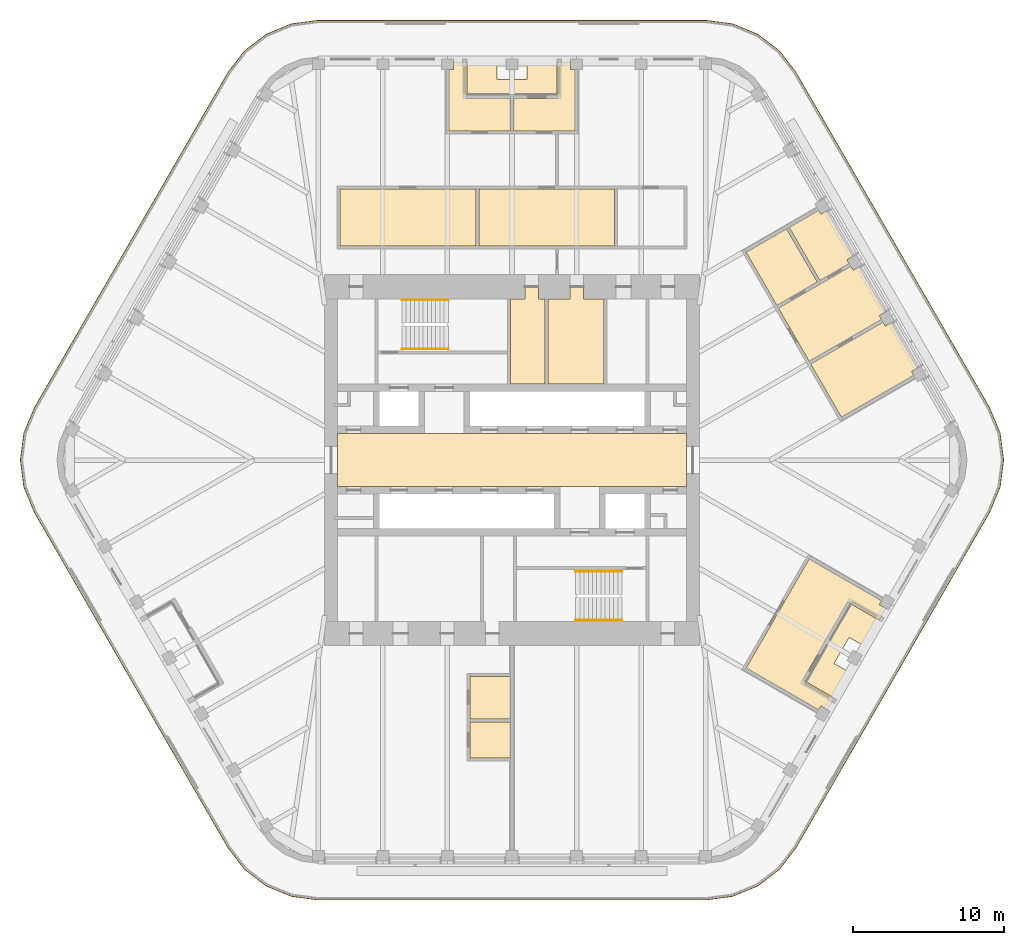
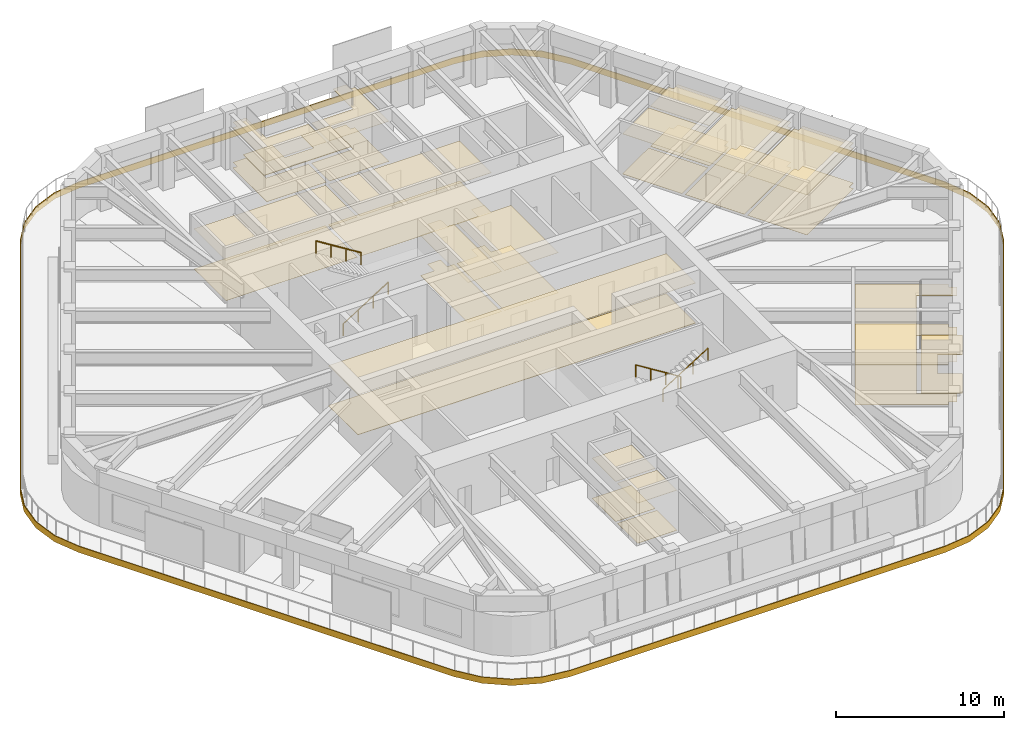
# One storey, part 18 of 19: 11 coverings, 4 railings.
"""IFC4 building model written with IfcOpenShell, lengths in metres."""

from ifc_helpers import new_model, si_unit, direction, frame, origin, origin_2d, place, context, subcontext, project, spatial, polyline, circle, outline, extrude, material, layer, layer_set, type_object, element, save


model = new_model("IFC4")

# Units and contexts
model_context = context("Model", 3, precision=1e-05, world=origin(), true_north=direction((0.0, 1.0)))
body_context = subcontext(model_context, "Body", "Model", "MODEL_VIEW")
ifc_project = project(units=[si_unit("LENGTHUNIT", "METRE"), si_unit("AREAUNIT", "SQUARE_METRE"), si_unit("VOLUMEUNIT", "CUBIC_METRE"), si_unit("PLANEANGLEUNIT", "RADIAN"), si_unit("MASSUNIT", "GRAM", prefix="KILO")], contexts=[model_context])

# Site, building, storey
site_placement = place(None, origin())
site = spatial("IfcSite", under=ifc_project, at=site_placement, CompositionType="ELEMENT")
building_placement = place(site_placement, origin())
building = spatial("IfcBuilding", under=site, at=building_placement, Name="Tarfa Lantern Tower", CompositionType="ELEMENT")
storey_placement = place(building_placement, frame((0.0, 0.0, 374.5)))
storey = spatial("IfcBuildingStorey", under=building, at=storey_placement, Name="L85", CompositionType="ELEMENT", Elevation=374.5)

# Coverings
ifc_material_1 = material(Name="Mineral fibre acoustic tile on suspension grid", Category="finish")
ifc_layer_1 = layer(ifc_material_1, 0.02001953125)
ifc_layer_set_1 = layer_set([ifc_layer_1], Name="CL1 ACOUSTIC TILE CEILING 20")
covering_type_1 = type_object("IfcCoveringType", Name="CL1 ACOUSTIC TILE CEILING 20", PredefinedType="CEILING", material=ifc_layer_set_1)
covering_1_placement = place(storey_placement, frame((0.0, 0.0, 2.89990234375)))
element("IfcCovering", 1, at=covering_1_placement, inside=storey, type_object=covering_type_1, Name="Ceiling L85 CL1", PredefinedType="CEILING", context=body_context, shape_type="SweptSolid", body=[
    extrude(outline(polyline([(-11.39990234375, 18.0), (-2.39990234375, 18.0), (-2.39990234375, 14.199951171875), (-11.39990234375, 14.199951171875), (-11.39990234375, 18.0)])), origin(), (0.0, 0.0, 1.0), 0.02001953125),
    extrude(outline(polyline([(4.18212890625, 21.85009765625), (0.10009765625, 21.85009765625), (0.10009765625, 24.0), (2.98193359375, 24.0), (2.98193359375, 26.39990234375), (3.882080078125, 26.39990234375), (3.882080078125, 25.89990234375), (4.18212890625, 25.89990234375), (4.18212890625, 21.85009765625)])), origin(), (0.0, 0.0, 1.0), 0.02001953125),
    extrude(outline(polyline([(-2.98193359375, 24.0), (-0.10009765625, 24.0), (-0.10009765625, 21.85009765625), (-4.18212890625, 21.85009765625), (-4.18212890625, 25.89990234375), (-3.882080078125, 25.89990234375), (-3.882080078125, 26.39990234375), (-2.98193359375, 26.39990234375), (-2.98193359375, 24.0)])), origin(), (0.0, 0.0, 1.0), 0.02001953125),
    extrude(outline(polyline([(17.673583984375, 10.08837890625), (22.47998046875, 12.86328125), (22.630126953125, 12.603515625), (23.06298828125, 12.853515625), (24.80419921875, 9.838134765625), (24.37109375, 9.588134765625), (24.52099609375, 9.328369140625), (19.714599609375, 6.55322265625), (17.673583984375, 10.08837890625)])), origin(), (0.0, 0.0, 1.0), 0.02001953125),
    extrude(outline(polyline([(18.390380859375, 15.44677734375), (20.339111328125, 16.57177734375), (20.489013671875, 16.31201171875), (20.922119140625, 16.56201171875), (22.6630859375, 13.54638671875), (22.22998046875, 13.29638671875), (22.380126953125, 13.03662109375), (20.431396484375, 11.91162109375), (18.390380859375, 15.44677734375)])), origin(), (0.0, 0.0, 1.0), 0.02001953125),
    extrude(outline(polyline([(19.714599609375, -6.55322265625), (24.52099609375, -9.328369140625), (24.37109375, -9.588134765625), (24.80419921875, -9.838134765625), (24.35400390625, -10.617431640625), (22.275634765625, -9.41748046875), (19.293701171875, -14.58251953125), (21.3720703125, -15.782470703125), (20.922119140625, -16.56201171875), (20.489013671875, -16.31201171875), (20.339111328125, -16.57177734375), (15.53271484375, -13.796630859375), (19.714599609375, -6.55322265625)])), origin(), (0.0, 0.0, 1.0), 0.02001953125),
    extrude(outline(polyline([(-2.800048828125, -17.159912109375), (-2.800048828125, -14.360107421875), (-0.10009765625, -14.360107421875), (-0.10009765625, -17.159912109375), (-2.800048828125, -17.159912109375)])), origin(), (0.0, 0.0, 1.0), 0.02001953125),
    extrude(outline(polyline([(-2.800048828125, -19.760009765625), (-2.800048828125, -17.360107421875), (-0.10009765625, -17.360107421875), (-0.10009765625, -19.760009765625), (-2.800048828125, -19.760009765625)])), origin(), (0.0, 0.0, 1.0), 0.02001953125),
    extrude(outline(polyline([(-2.199951171875, 18.0), (6.800048828125, 18.0), (6.800048828125, 14.199951171875), (-2.199951171875, 14.199951171875), (-2.199951171875, 18.0)])), origin(), (0.0, 0.0, 1.0), 0.02001953125),
    extrude(outline(polyline([(19.814697265625, 6.380126953125), (24.62109375, 9.155029296875), (24.77099609375, 8.895263671875), (25.2041015625, 9.145263671875), (26.945068359375, 6.129638671875), (26.511962890625, 5.879638671875), (26.662109375, 5.619873046875), (21.855712890625, 2.844970703125), (19.814697265625, 6.380126953125)])), origin(), (0.0, 0.0, 1.0), 0.02001953125),
    extrude(outline(polyline([(15.53271484375, 13.796630859375), (18.21728515625, 15.3466796875), (20.25830078125, 11.8115234375), (17.57373046875, 10.26171875), (15.53271484375, 13.796630859375)])), origin(), (0.0, 0.0, 1.0), 0.02001953125),
])
ifc_material_2 = material(Name="Moisture-resistant plasterboard", Category="finish")
ifc_layer_2 = layer(ifc_material_2, 0.014892578125)
ifc_layer_set_2 = layer_set([ifc_layer_2], Name="CL2 MOISTURE-RESISTANT PLASTERBOARD CEILING 15")
covering_type_2 = type_object("IfcCoveringType", Name="CL2 MOISTURE-RESISTANT PLASTERBOARD CEILING 15", PredefinedType="CEILING", material=ifc_layer_set_2)
covering_2_placement = place(storey_placement, frame((0.0, 0.0, 2.89990234375)))
element("IfcCovering", 2, at=covering_2_placement, inside=storey, type_object=covering_type_2, Name="Ceiling L85-05", PredefinedType="CEILING", context=body_context, shape_type="SweptSolid", body=[
    extrude(outline(polyline([(0.85009765625, 10.699951171875), (-0.10009765625, 10.699951171875), (-0.10009765625, 5.050048828125), (2.199951171875, 5.050048828125), (2.199951171875, 10.699951171875), (1.75, 10.699951171875), (1.75, 11.5), (0.85009765625, 11.5), (0.85009765625, 10.699951171875)])), origin(), (0.0, 0.0, 1.0), 0.01513671875),
])
covering_3_placement = place(storey_placement, frame((0.0, 0.0, 2.89990234375)))
element("IfcCovering", 3, at=covering_3_placement, inside=storey, type_object=covering_type_2, Name="Ceiling L85-06", PredefinedType="CEILING", context=body_context, shape_type="SweptSolid", body=[
    extrude(outline(polyline([(2.39990234375, 5.050048828125), (6.10009765625, 5.050048828125), (6.10009765625, 10.699951171875), (4.75, 10.699951171875), (4.75, 11.5), (3.85009765625, 11.5), (3.85009765625, 10.699951171875), (2.39990234375, 10.699951171875), (2.39990234375, 5.050048828125)])), origin(), (0.0, 0.0, 1.0), 0.01513671875),
])
ifc_material_3 = material(Name="Powder-coated aluminium panel", Category="aluminium")
ifc_layer_3 = layer(ifc_material_3, 0.030029296875)
ifc_layer_set_3 = layer_set([ifc_layer_3], Name="CL3 METAL PANEL CEILING 30")
covering_type_3 = type_object("IfcCoveringType", Name="CL3 METAL PANEL CEILING 30", PredefinedType="CEILING", material=ifc_layer_set_3)
covering_4_placement = place(storey_placement, frame((0.0, 0.0, 2.89990234375)))
element("IfcCovering", 4, at=covering_4_placement, inside=storey, type_object=covering_type_3, Name="Ceiling L85-01", PredefinedType="CEILING", context=body_context, shape_type="SweptSolid", body=[
    extrude(outline(polyline([(-11.574951171875, -1.75), (11.574951171875, -1.75), (11.574951171875, 1.75), (-11.574951171875, 1.75), (-11.574951171875, -1.75)])), origin(), (0.0, 0.0, 1.0), 0.030029296875),
])
ifc_material_4 = material(Name="Nylon carpet tile", Category="finish")
ifc_layer_4 = layer(ifc_material_4, 0.010009765625)
ifc_layer_set_4 = layer_set([ifc_layer_4], Name="FL1 CARPET TILE 10")
covering_type_4 = type_object("IfcCoveringType", Name="FL1 CARPET TILE 10", PredefinedType="FLOORING", material=ifc_layer_set_4)
covering_5_placement = place(storey_placement, origin())
element("IfcCovering", 5, at=covering_5_placement, inside=storey, type_object=covering_type_4, Name="Floor finish L85 FL1", PredefinedType="FLOORING", context=body_context, shape_type="SweptSolid", body=[
    extrude(outline(polyline([(-11.39990234375, 18.0), (-2.39990234375, 18.0), (-2.39990234375, 14.199951171875), (-11.39990234375, 14.199951171875), (-11.39990234375, 18.0)])), origin(), (0.0, 0.0, 1.0), 0.010009765625),
    extrude(outline(polyline([(4.18212890625, 21.85009765625), (0.10009765625, 21.85009765625), (0.10009765625, 24.0), (2.98193359375, 24.0), (2.98193359375, 26.39990234375), (3.882080078125, 26.39990234375), (3.882080078125, 25.89990234375), (4.18212890625, 25.89990234375), (4.18212890625, 21.85009765625)])), origin(), (0.0, 0.0, 1.0), 0.010009765625),
    extrude(outline(polyline([(-2.98193359375, 24.0), (-0.10009765625, 24.0), (-0.10009765625, 21.85009765625), (-4.18212890625, 21.85009765625), (-4.18212890625, 25.89990234375), (-3.882080078125, 25.89990234375), (-3.882080078125, 26.39990234375), (-2.98193359375, 26.39990234375), (-2.98193359375, 24.0)])), origin(), (0.0, 0.0, 1.0), 0.010009765625),
    extrude(outline(polyline([(17.673583984375, 10.08837890625), (22.47998046875, 12.86328125), (22.630126953125, 12.603515625), (23.06298828125, 12.853515625), (24.80419921875, 9.838134765625), (24.37109375, 9.588134765625), (24.52099609375, 9.328369140625), (19.714599609375, 6.55322265625), (17.673583984375, 10.08837890625)])), origin(), (0.0, 0.0, 1.0), 0.010009765625),
    extrude(outline(polyline([(18.390380859375, 15.44677734375), (20.339111328125, 16.57177734375), (20.489013671875, 16.31201171875), (20.922119140625, 16.56201171875), (22.6630859375, 13.54638671875), (22.22998046875, 13.29638671875), (22.380126953125, 13.03662109375), (20.431396484375, 11.91162109375), (18.390380859375, 15.44677734375)])), origin(), (0.0, 0.0, 1.0), 0.010009765625),
    extrude(outline(polyline([(19.714599609375, -6.55322265625), (24.52099609375, -9.328369140625), (24.37109375, -9.588134765625), (24.80419921875, -9.838134765625), (24.35400390625, -10.617431640625), (22.275634765625, -9.41748046875), (19.293701171875, -14.58251953125), (21.3720703125, -15.782470703125), (20.922119140625, -16.56201171875), (20.489013671875, -16.31201171875), (20.339111328125, -16.57177734375), (15.53271484375, -13.796630859375), (19.714599609375, -6.55322265625)])), origin(), (0.0, 0.0, 1.0), 0.010009765625),
    extrude(outline(polyline([(-2.800048828125, -17.159912109375), (-2.800048828125, -14.360107421875), (-0.10009765625, -14.360107421875), (-0.10009765625, -17.159912109375), (-2.800048828125, -17.159912109375)])), origin(), (0.0, 0.0, 1.0), 0.010009765625),
    extrude(outline(polyline([(-2.800048828125, -19.760009765625), (-2.800048828125, -17.360107421875), (-0.10009765625, -17.360107421875), (-0.10009765625, -19.760009765625), (-2.800048828125, -19.760009765625)])), origin(), (0.0, 0.0, 1.0), 0.010009765625),
    extrude(outline(polyline([(-2.199951171875, 18.0), (6.800048828125, 18.0), (6.800048828125, 14.199951171875), (-2.199951171875, 14.199951171875), (-2.199951171875, 18.0)])), origin(), (0.0, 0.0, 1.0), 0.010009765625),
    extrude(outline(polyline([(19.814697265625, 6.380126953125), (24.62109375, 9.155029296875), (24.77099609375, 8.895263671875), (25.2041015625, 9.145263671875), (26.945068359375, 6.129638671875), (26.511962890625, 5.879638671875), (26.662109375, 5.619873046875), (21.855712890625, 2.844970703125), (19.814697265625, 6.380126953125)])), origin(), (0.0, 0.0, 1.0), 0.010009765625),
    extrude(outline(polyline([(15.53271484375, 13.796630859375), (18.21728515625, 15.3466796875), (20.25830078125, 11.8115234375), (17.57373046875, 10.26171875), (15.53271484375, 13.796630859375)])), origin(), (0.0, 0.0, 1.0), 0.010009765625),
])
ifc_material_5 = material(Name="Honed limestone flooring", Category="masonry")
ifc_layer_5 = layer(ifc_material_5, 0.030029296875)
ifc_layer_set_5 = layer_set([ifc_layer_5], Name="FL2 STONE FLOORING 30")
covering_type_5 = type_object("IfcCoveringType", Name="FL2 STONE FLOORING 30", PredefinedType="FLOORING", material=ifc_layer_set_5)
covering_6_placement = place(storey_placement, origin())
element("IfcCovering", 6, at=covering_6_placement, inside=storey, type_object=covering_type_5, Name="Floor finish L85-01", PredefinedType="FLOORING", context=body_context, shape_type="SweptSolid", body=[
    extrude(outline(polyline([(-11.574951171875, -1.75), (11.574951171875, -1.75), (11.574951171875, 1.75), (-11.574951171875, 1.75), (-11.574951171875, -1.75)])), origin(), (0.0, 0.0, 1.0), 0.030029296875),
])
ifc_material_6 = material(Name="Porcelain floor tile", Category="finish")
ifc_layer_6 = layer(ifc_material_6, 0.011962890625)
ifc_layer_set_6 = layer_set([ifc_layer_6], Name="FL3 CERAMIC TILE 12")
covering_type_6 = type_object("IfcCoveringType", Name="FL3 CERAMIC TILE 12", PredefinedType="FLOORING", material=ifc_layer_set_6)
covering_7_placement = place(storey_placement, origin())
element("IfcCovering", 7, at=covering_7_placement, inside=storey, type_object=covering_type_6, Name="Floor finish L85-05", PredefinedType="FLOORING", context=body_context, shape_type="SweptSolid", body=[
    extrude(outline(polyline([(0.85009765625, 10.699951171875), (-0.10009765625, 10.699951171875), (-0.10009765625, 5.050048828125), (2.199951171875, 5.050048828125), (2.199951171875, 10.699951171875), (1.75, 10.699951171875), (1.75, 11.5), (0.85009765625, 11.5), (0.85009765625, 10.699951171875)])), origin(), (0.0, 0.0, 1.0), 0.011962890625),
])
covering_8_placement = place(storey_placement, origin())
element("IfcCovering", 8, at=covering_8_placement, inside=storey, type_object=covering_type_6, Name="Floor finish L85-06", PredefinedType="FLOORING", context=body_context, shape_type="SweptSolid", body=[
    extrude(outline(polyline([(2.39990234375, 5.050048828125), (6.10009765625, 5.050048828125), (6.10009765625, 10.699951171875), (4.75, 10.699951171875), (4.75, 11.5), (3.85009765625, 11.5), (3.85009765625, 10.699951171875), (2.39990234375, 10.699951171875), (2.39990234375, 5.050048828125)])), origin(), (0.0, 0.0, 1.0), 0.011962890625),
])

# Railings
ifc_material_7 = material(Name="Stainless steel", Category="steel")
railing_type = type_object("IfcRailingType", Name="HR1 HANDRAIL 900", PredefinedType="HANDRAIL", material=ifc_material_7)
railing_1_placement = place(storey_placement, frame((-7.300048828125, 7.3798828125, 0.175048828125)))
element("IfcRailing", 9, at=railing_1_placement, inside=storey, type_object=railing_type, Name="Handrail 1", PredefinedType="HANDRAIL", context=body_context, shape_type="SweptSolid", body=[
    extrude(circle(Radius=0.02392578125, at=origin_2d()), frame((0.0, 0.0, 0.8759765625), z_axis=(0.847998304005, 0.0, 0.529998940003), x_axis=(0.0, 1.0, 0.0)), (0.0, 0.0, 1.0), 3.632080078125),
    extrude(circle(Radius=0.02099609375, at=origin_2d()), frame((0.0, 0.0, 0.0), z_axis=(0.0, 0.0, 1.0), x_axis=(0.0, 1.0, 0.0)), (0.0, 0.0, 1.0), 0.851806640625),
    extrude(circle(Radius=0.02099609375, at=origin_2d()), frame((1.026611328125, 0.0, 0.6416015625), z_axis=(0.0, 0.0, 1.0), x_axis=(0.0, 1.0, 0.0)), (0.0, 0.0, 1.0), 0.851806640625),
    extrude(circle(Radius=0.02099609375, at=origin_2d()), frame((2.053466796875, 0.0, 1.283447265625), z_axis=(0.0, 0.0, 1.0), x_axis=(0.0, 1.0, 0.0)), (0.0, 0.0, 1.0), 0.851806640625),
    extrude(circle(Radius=0.02099609375, at=origin_2d()), frame((3.080078125, 0.0, 1.925048828125), z_axis=(0.0, 0.0, 1.0), x_axis=(0.0, 1.0, 0.0)), (0.0, 0.0, 1.0), 0.851806640625),
])
for number, where, name in (
    (10, (-4.219970703125, 10.6201171875, 2.27490234375), "Handrail 2"),
    (11, (7.300048828125, -7.3798828125, 0.175048828125), "Handrail 1"),
):
    element("IfcRailing", number, at=place(storey_placement, frame(where)), inside=storey, type_object=railing_type, Name=name, PredefinedType="HANDRAIL", context=body_context, shape_type="SweptSolid", body=[
        extrude(circle(Radius=0.02392578125, at=origin_2d()), frame((0.0, 0.0, 0.8759765625), z_axis=(-0.847998304005, 0.0, 0.529998940003), x_axis=(0.0, -1.0, 0.0)), (0.0, 0.0, 1.0), 3.632080078125),
        extrude(circle(Radius=0.02099609375, at=origin_2d()), frame((0.0, 0.0, 0.0), z_axis=(0.0, 0.0, 1.0), x_axis=(0.0, -1.0, 0.0)), (0.0, 0.0, 1.0), 0.851806640625),
        extrude(circle(Radius=0.02099609375, at=origin_2d()), frame((-1.026611328125, 0.0, 0.6416015625), z_axis=(0.0, 0.0, 1.0), x_axis=(0.0, -1.0, 0.0)), (0.0, 0.0, 1.0), 0.851806640625),
        extrude(circle(Radius=0.02099609375, at=origin_2d()), frame((-2.053466796875, 0.0, 1.283447265625), z_axis=(0.0, 0.0, 1.0), x_axis=(0.0, -1.0, 0.0)), (0.0, 0.0, 1.0), 0.851806640625),
        extrude(circle(Radius=0.02099609375, at=origin_2d()), frame((-3.080078125, 0.0, 1.925048828125), z_axis=(0.0, 0.0, 1.0), x_axis=(0.0, -1.0, 0.0)), (0.0, 0.0, 1.0), 0.851806640625),
    ])
railing_2_placement = place(storey_placement, frame((4.219970703125, -10.6201171875, 2.27490234375)))
element("IfcRailing", 12, at=railing_2_placement, inside=storey, type_object=railing_type, Name="Handrail 2", PredefinedType="HANDRAIL", context=body_context, shape_type="SweptSolid", body=[
    extrude(circle(Radius=0.02392578125, at=origin_2d()), frame((0.0, 0.0, 0.8759765625), z_axis=(0.847998304005, 0.0, 0.529998940003), x_axis=(0.0, 1.0, 0.0)), (0.0, 0.0, 1.0), 3.632080078125),
    extrude(circle(Radius=0.02099609375, at=origin_2d()), frame((0.0, 0.0, 0.0), z_axis=(0.0, 0.0, 1.0), x_axis=(0.0, 1.0, 0.0)), (0.0, 0.0, 1.0), 0.851806640625),
    extrude(circle(Radius=0.02099609375, at=origin_2d()), frame((1.026611328125, 0.0, 0.6416015625), z_axis=(0.0, 0.0, 1.0), x_axis=(0.0, 1.0, 0.0)), (0.0, 0.0, 1.0), 0.851806640625),
    extrude(circle(Radius=0.02099609375, at=origin_2d()), frame((2.053466796875, 0.0, 1.283447265625), z_axis=(0.0, 0.0, 1.0), x_axis=(0.0, 1.0, 0.0)), (0.0, 0.0, 1.0), 0.851806640625),
    extrude(circle(Radius=0.02099609375, at=origin_2d()), frame((3.080078125, 0.0, 1.925048828125), z_axis=(0.0, 0.0, 1.0), x_axis=(0.0, 1.0, 0.0)), (0.0, 0.0, 1.0), 0.851806640625),
])

# Coverings
ifc_material_8 = material(Name="Porcelain pavers on pedestals", Category="ceramic")
ifc_layer_7 = layer(ifc_material_8, 0.0400390625)
ifc_layer_set_7 = layer_set([ifc_layer_7], Name="LP1 LOGGIA PAVING 40")
covering_type_7 = type_object("IfcCoveringType", Name="LP1 LOGGIA PAVING 40", PredefinedType="FLOORING", material=ifc_layer_set_7)
covering_9_placement = place(storey_placement, origin())
element("IfcCovering", 13, at=covering_9_placement, inside=storey, type_object=covering_type_7, Name="Terrace paving N", PredefinedType="FLOORING", context=body_context, shape_type="SweptSolid", body=[
    extrude(outline(polyline([(2.98193359375, 26.75), (2.98193359375, 24.27001953125), (-2.98193359375, 24.27001953125), (-2.98193359375, 26.75), (-1.0, 26.75), (-1.0, 25.25), (1.0, 25.25), (1.0, 26.75), (2.98193359375, 26.75)])), origin(), (0.0, 0.0, 1.0), 0.0400390625),
])
covering_10_placement = place(storey_placement, origin())
element("IfcCovering", 14, at=covering_10_placement, inside=storey, type_object=covering_type_7, Name="Terrace paving SE", PredefinedType="FLOORING", context=body_context, shape_type="SweptSolid", body=[
    extrude(outline(polyline([(21.67529296875, -15.95751953125), (19.52734375, -14.717529296875), (22.509521484375, -9.552490234375), (24.6572265625, -10.79248046875), (23.666259765625, -12.509033203125), (22.3671875, -11.759033203125), (21.3671875, -13.490966796875), (22.666259765625, -14.240966796875), (21.67529296875, -15.95751953125)])), origin(), (0.0, 0.0, 1.0), 0.0400390625),
])
ifc_material_9 = material(Name="Limestone cladding on brackets", Category="masonry")
ifc_layer_8 = layer(ifc_material_9, 0.050048828125)
ifc_layer_set_8 = layer_set([ifc_layer_8], Name="SB1 STONE BAND CLADDING 50")
covering_type_8 = type_object("IfcCoveringType", Name="SB1 STONE BAND CLADDING 50", PredefinedType="CLADDING", material=ifc_layer_set_8)
covering_11_placement = place(storey_placement, frame((0.0, 0.0, -0.39990234375)))
element("IfcCovering", 15, at=covering_11_placement, inside=storey, type_object=covering_type_8, Name="Stone band", PredefinedType="CLADDING", context=body_context, shape_type="SweptSolid", body=[
    extrude(outline(polyline([(31.7109375, 3.47509765625), (18.864990234375, 25.72509765625), (17.760498046875, 27.164306640625), (16.321044921875, 28.268798828125), (14.644775390625, 28.963134765625), (12.845947265625, 29.199951171875), (-12.845947265625, 29.199951171875), (-14.644775390625, 28.963134765625), (-16.321044921875, 28.268798828125), (-17.760498046875, 27.164306640625), (-18.864990234375, 25.72509765625), (-31.7109375, 3.47509765625), (-32.4052734375, 1.798828125), (-32.64208984375, 0.0), (-32.4052734375, -1.798828125), (-31.7109375, -3.47509765625), (-18.864990234375, -25.72509765625), (-17.760498046875, -27.164306640625), (-16.321044921875, -28.268798828125), (-14.644775390625, -28.963134765625), (-12.845947265625, -29.199951171875), (12.845947265625, -29.199951171875), (14.644775390625, -28.963134765625), (16.321044921875, -28.268798828125), (17.760498046875, -27.164306640625), (18.864990234375, -25.72509765625), (31.7109375, -3.47509765625), (32.4052734375, -1.798828125), (32.64208984375, 0.0), (32.4052734375, 1.798828125), (31.7109375, 3.47509765625)]), holes=[polyline([(31.667724609375, 3.449951171875), (18.821533203125, 25.699951171875), (17.72509765625, 27.129150390625), (16.296142578125, 28.2255859375), (14.6318359375, 28.914794921875), (12.845947265625, 29.14990234375), (-12.845947265625, 29.14990234375), (-14.6318359375, 28.914794921875), (-16.296142578125, 28.2255859375), (-17.72509765625, 27.129150390625), (-18.821533203125, 25.699951171875), (-31.667724609375, 3.449951171875), (-32.35693359375, 1.785888671875), (-32.592041015625, 0.0), (-32.35693359375, -1.785888671875), (-31.667724609375, -3.449951171875), (-18.821533203125, -25.699951171875), (-17.72509765625, -27.129150390625), (-16.296142578125, -28.2255859375), (-14.6318359375, -28.914794921875), (-12.845947265625, -29.14990234375), (12.845947265625, -29.14990234375), (14.6318359375, -28.914794921875), (16.296142578125, -28.2255859375), (17.72509765625, -27.129150390625), (18.821533203125, -25.699951171875), (31.667724609375, -3.449951171875), (32.35693359375, -1.785888671875), (32.592041015625, 0.0), (32.35693359375, 1.785888671875), (31.667724609375, 3.449951171875)])]), origin(), (0.0, 0.0, 1.0), 0.449951171875),
])

save(model, "model.ifc")
